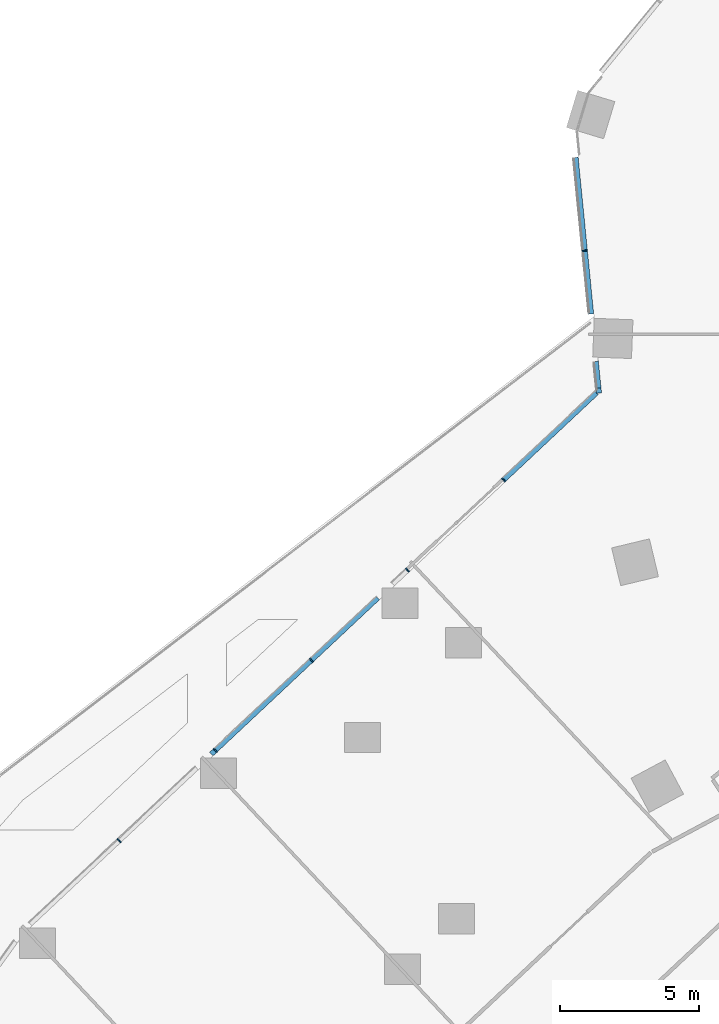
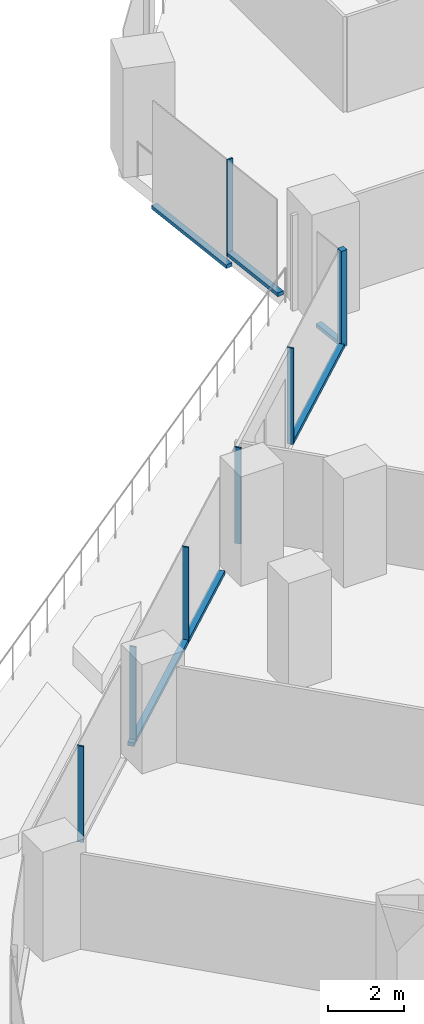
# One storey, part 6 of 34: 12 members, 2 elements without a shape of their own.
"""IFC4 building model written with IfcOpenShell, lengths in metres."""

from ifc_helpers import new_model, si_unit, direction, frame, origin, origin_2d, place, context, subcontext, project, spatial, rectangle, extrude, material, material_profile, profile_set, type_object, element, aggregate, save


model = new_model("IFC4")

# Units and contexts
model_context = context("Model", 3, precision=1e-05, world=origin(), true_north=direction((0.0, 1.0)))
body_context = subcontext(model_context, "Body", "Model", "MODEL_VIEW")
ifc_project = project(units=[si_unit("LENGTHUNIT", "METRE"), si_unit("AREAUNIT", "SQUARE_METRE"), si_unit("VOLUMEUNIT", "CUBIC_METRE"), si_unit("PLANEANGLEUNIT", "RADIAN"), si_unit("MASSUNIT", "GRAM", prefix="KILO")], contexts=[model_context])

# Site, building, storey
site_placement = place(None, origin())
site = spatial("IfcSite", under=ifc_project, at=site_placement, CompositionType="ELEMENT")
building_placement = place(site_placement, origin())
building = spatial("IfcBuilding", under=site, at=building_placement, Name="Orlundy Tower", CompositionType="ELEMENT")
storey_placement = place(building_placement, frame((0.0, 0.0, 37.300048828125)))
storey = spatial("IfcBuildingStorey", under=building, at=storey_placement, Name="L07", CompositionType="ELEMENT", Elevation=37.300048828125)

# Curtain wall, member
ifc_material_1 = material(Name="Aluminium bronze anodised", Category="aluminium")
curtain_wall_type = type_object("IfcCurtainWallType", Name="CW1 wall", PredefinedType="NOTDEFINED", material=ifc_material_1)
curtain_wall_1_placement = place(storey_placement, origin())
curtain_wall_1 = element("IfcCurtainWall", 1, at=curtain_wall_1_placement, inside=storey, type_object=curtain_wall_type, Name="CW1 run 01", PredefinedType="NOTDEFINED")
ifc_material_2 = material(Name="Aluminium bronze anodised", Category="aluminium")
ifc_material_profile_1 = material_profile(ifc_material_2, rectangle(XDim=0.179931640625, YDim=0.179931640625, at=origin_2d()), Name="CW1 corner post 180x180")
ifc_profile_set_1 = profile_set([ifc_material_profile_1], Name="Aluminium bronze anodised")
member_type_1 = type_object("IfcMemberType", Name="CW1 corner post 180x180", PredefinedType="MULLION", material=ifc_profile_set_1)
member_1_placement = place(storey_placement, frame((-30.163818359375, -0.747802734375, 0.0), z_axis=(0.0, 0.0, 1.0), x_axis=(-0.995120028229, -0.098671826867, 0.0)))
member_1 = element("IfcMember", 2, at=member_1_placement, type_object=member_type_1, Name="CW1 mullion 7", PredefinedType="MULLION", context=body_context, shape_type="SweptSolid", body=[
    extrude(rectangle(XDim=0.179931640625, YDim=0.179931640625, at=origin_2d()), origin(), (0.0, 0.0, 1.0), 3.079833984375),
])

# Curtain wall, members
curtain_wall_2_placement = place(storey_placement, origin())
curtain_wall_2 = element("IfcCurtainWall", 3, at=curtain_wall_2_placement, inside=storey, type_object=curtain_wall_type, Name="CW1 run 00", PredefinedType="NOTDEFINED")
ifc_material_3 = material(Name="Aluminium bronze anodised", Category="aluminium")
ifc_material_profile_2 = material_profile(ifc_material_3, rectangle(XDim=0.179931640625, YDim=0.050048828125, at=origin_2d()), Name="CW1 mullion 50x180")
ifc_profile_set_2 = profile_set([ifc_material_profile_2], Name="Aluminium bronze anodised")
member_type_2 = type_object("IfcMemberType", Name="CW1 mullion 50x180", PredefinedType="MULLION", material=ifc_profile_set_2)
member_2_placement = place(storey_placement, frame((-47.47314453125, -16.984130859375, 0.0), z_axis=(0.0, 0.0, 1.0), x_axis=(-0.684139296752, 0.729351371178, 0.0)))
member_2 = element("IfcMember", 4, at=member_2_placement, type_object=member_type_2, Name="CW1 mullion 2", PredefinedType="MULLION", context=body_context, shape_type="SweptSolid", body=[
    extrude(rectangle(XDim=0.179931640625, YDim=0.050048828125, at=origin_2d()), origin(), (0.0, 0.0, 1.0), 3.079833984375),
])
member_3_placement = place(storey_placement, frame((-44.0048828125, -13.730712890625, 0.0), z_axis=(0.0, 0.0, 1.0), x_axis=(-0.684139296752, 0.729351371178, 0.0)))
member_3 = element("IfcMember", 5, at=member_3_placement, type_object=member_type_2, Name="CW1 mullion 3", PredefinedType="MULLION", context=body_context, shape_type="SweptSolid", body=[
    extrude(rectangle(XDim=0.179931640625, YDim=0.050048828125, at=origin_2d()), origin(), (0.0, 0.0, 1.0), 3.079833984375),
])
member_4_placement = place(storey_placement, frame((-40.53662109375, -10.477294921875, 0.0), z_axis=(0.0, 0.0, 1.0), x_axis=(-0.684139296752, 0.729351371178, 0.0)))
member_4 = element("IfcMember", 6, at=member_4_placement, type_object=member_type_2, Name="CW1 mullion 4", PredefinedType="MULLION", context=body_context, shape_type="SweptSolid", body=[
    extrude(rectangle(XDim=0.179931640625, YDim=0.050048828125, at=origin_2d()), origin(), (0.0, 0.0, 1.0), 3.079833984375),
])
member_5_placement = place(storey_placement, frame((-37.068359375, -7.22412109375, 0.0), z_axis=(0.0, 0.0, 1.0), x_axis=(-0.684139296752, 0.729351371178, 0.0)))
member_5 = element("IfcMember", 7, at=member_5_placement, type_object=member_type_2, Name="CW1 mullion 5", PredefinedType="MULLION", context=body_context, shape_type="SweptSolid", body=[
    extrude(rectangle(XDim=0.179931640625, YDim=0.050048828125, at=origin_2d()), origin(), (0.0, 0.0, 1.0), 3.079833984375),
])
member_6_placement = place(storey_placement, frame((-33.599853515625, -3.970703125, 0.0), z_axis=(0.0, 0.0, 1.0), x_axis=(-0.684139296752, 0.729351371178, 0.0)))
member_6 = element("IfcMember", 8, at=member_6_placement, type_object=member_type_2, Name="CW1 mullion 6", PredefinedType="MULLION", context=body_context, shape_type="SweptSolid", body=[
    extrude(rectangle(XDim=0.179931640625, YDim=0.050048828125, at=origin_2d()), origin(), (0.0, 0.0, 1.0), 3.079833984375),
])

# Member
member_7_placement = place(storey_placement, frame((-30.66455078125, 4.301025390625, 0.0), z_axis=(0.0, 0.0, 1.0), x_axis=(-0.995120028229, -0.098671826867, 0.0)))
member_7 = element("IfcMember", 9, at=member_7_placement, type_object=member_type_2, Name="CW1 mullion 8", PredefinedType="MULLION", context=body_context, shape_type="SweptSolid", body=[
    extrude(rectangle(XDim=0.179931640625, YDim=0.050048828125, at=origin_2d()), origin(), (0.0, 0.0, 1.0), 3.079833984375),
])

ifc_material_4 = material(Name="Aluminium bronze anodised", Category="aluminium")
ifc_material_profile_3 = material_profile(ifc_material_4, rectangle(XDim=0.179931640625, YDim=0.1201171875, at=origin_2d()), Name="CW1 transom 180x120")
ifc_profile_set_3 = profile_set([ifc_material_profile_3], Name="Aluminium bronze anodised")
member_type_3 = type_object("IfcMemberType", Name="CW1 transom 180x120", PredefinedType="USERDEFINED", material=ifc_profile_set_3)
member_8_placement = place(storey_placement, frame((-44.143798828125, -13.861083984375, 0.06005859375), z_axis=(0.72933458514, 0.684157191673, 0.0), x_axis=(-0.684157191673, 0.72933458514, 0.0)))
member_8 = element("IfcMember", 10, at=member_8_placement, type_object=member_type_3, Name="CW1 transom", ObjectType="TRANSOM", PredefinedType="USERDEFINED", context=body_context, shape_type="SweptSolid", body=[
    extrude(rectangle(XDim=0.179931640625, YDim=0.1201171875, at=origin_2d()), origin(), (0.0, 0.0, 1.0), 8.23046875),
])

member_9_placement = place(storey_placement, frame((-33.581787109375, -3.95361328125, 0.06005859375), z_axis=(0.729382338768, 0.684106281139, 0.0), x_axis=(-0.684106281139, 0.729382338768, 0.0)))
member_9 = element("IfcMember", 11, at=member_9_placement, type_object=member_type_3, Name="CW1 transom", ObjectType="TRANSOM", PredefinedType="USERDEFINED", context=body_context, shape_type="SweptSolid", body=[
    extrude(rectangle(XDim=0.179931640625, YDim=0.1201171875, at=origin_2d()), origin(), (0.0, 0.0, 1.0), 4.57275390625),
])

aggregate(curtain_wall_2, [member_2, member_3, member_4, member_5, member_6, member_8, member_9])

member_10_placement = place(storey_placement, frame((-30.1728515625, -0.658203125, 0.06005859375), z_axis=(-0.098732593385, 0.995114001009, 0.0), x_axis=(-0.995114001009, -0.098732593385, 0.0)))
member_10 = element("IfcMember", 12, at=member_10_placement, type_object=member_type_3, Name="CW1 transom", ObjectType="TRANSOM", PredefinedType="USERDEFINED", context=body_context, shape_type="SweptSolid", body=[
    extrude(rectangle(XDim=0.179931640625, YDim=0.1201171875, at=origin_2d()), origin(), (0.0, 0.0, 1.0), 0.9716796875),
])

member_11_placement = place(storey_placement, frame((-30.43798828125, 2.0166015625, 0.06005859375), z_axis=(-0.098705255811, 0.995116712992, 0.0), x_axis=(-0.995116712992, -0.098705255811, 0.0)))
member_11 = element("IfcMember", 13, at=member_11_placement, type_object=member_type_3, Name="CW1 transom", ObjectType="TRANSOM", PredefinedType="USERDEFINED", context=body_context, shape_type="SweptSolid", body=[
    extrude(rectangle(XDim=0.179931640625, YDim=0.1201171875, at=origin_2d()), origin(), (0.0, 0.0, 1.0), 2.2705078125),
])

member_12_placement = place(storey_placement, frame((-30.6669921875, 4.325927734375, -0.360107421875), z_axis=(-0.098683469441, 0.995118873733, 0.0), x_axis=(-0.995118873733, -0.098683469441, 0.0)))
member_12 = element("IfcMember", 14, at=member_12_placement, type_object=member_type_3, Name="CW1 transom", ObjectType="TRANSOM", PredefinedType="USERDEFINED", context=body_context, shape_type="SweptSolid", body=[
    extrude(rectangle(XDim=0.179931640625, YDim=0.1201171875, at=origin_2d()), origin(), (0.0, 0.0, 1.0), 3.359619140625),
])

aggregate(curtain_wall_1, [member_1, member_7, member_10, member_11, member_12])

save(model, "model.ifc")
